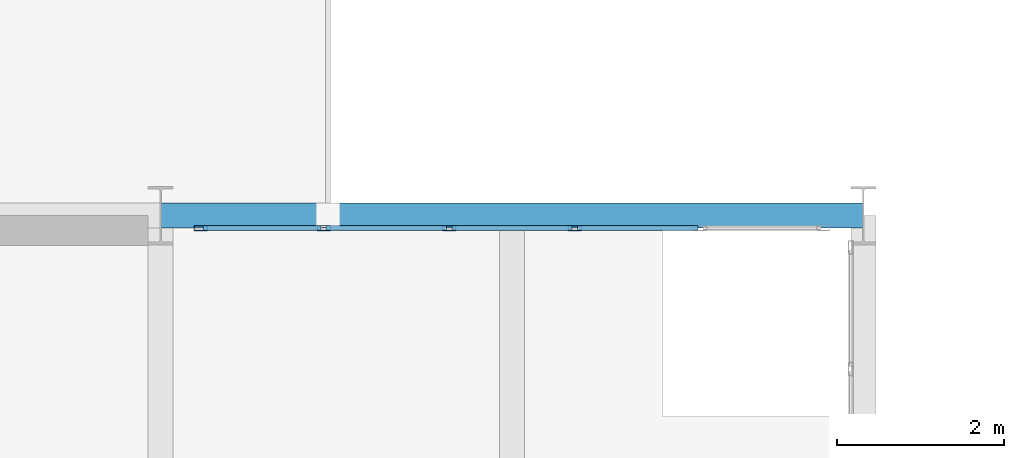
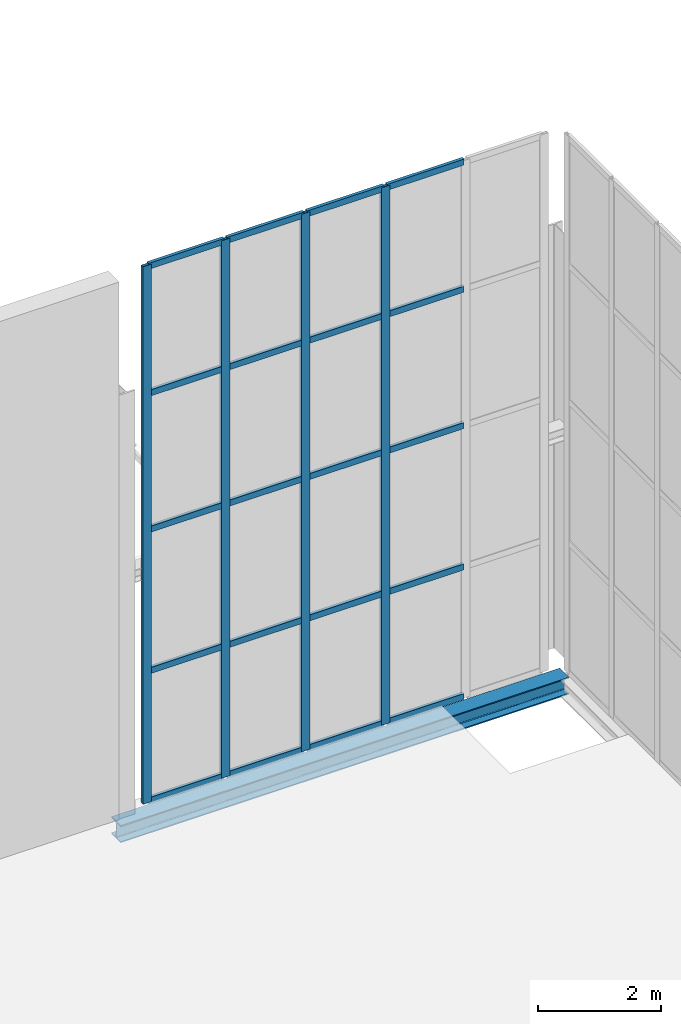
# One storey, part 64 of 131: 24 members, 1 beam, 1 element without a shape of its own.
"""IFC4 building model written with IfcOpenShell, lengths in metres."""

from ifc_helpers import new_model, si_unit, direction, frame, origin, origin_2d, place, context, subcontext, project, spatial, hollow_rectangle, i_section, extrude, material, material_profile, profile_set, type_object, element, aggregate, save


model = new_model("IFC4")

# Units and contexts
model_context = context("Model", 3, precision=1e-05, world=origin(), true_north=direction((0.0, 1.0)))
body_context = subcontext(model_context, "Body", "Model", "MODEL_VIEW")
ifc_project = project(units=[si_unit("LENGTHUNIT", "METRE"), si_unit("AREAUNIT", "SQUARE_METRE"), si_unit("VOLUMEUNIT", "CUBIC_METRE"), si_unit("PLANEANGLEUNIT", "RADIAN"), si_unit("MASSUNIT", "GRAM", prefix="KILO")], contexts=[model_context])

# Site, building, storey
site_placement = place(None, origin())
site = spatial("IfcSite", under=ifc_project, at=site_placement, CompositionType="ELEMENT")
building_placement = place(site_placement, origin())
building = spatial("IfcBuilding", under=site, at=building_placement, Name="Veltarok Museum of Natural Sciences", CompositionType="ELEMENT")
storey_placement = place(building_placement, origin())
storey = spatial("IfcBuildingStorey", under=building, at=storey_placement, Name="L00", CompositionType="ELEMENT", Elevation=0.0)

# Curtain wall, members
ifc_material_1 = material(Name="Low-iron triple insulated glass", Category="glass")
curtain_wall_type = type_object("IfcCurtainWallType", Name="Curtain Wall System CW-PAS-N01-750x1065 (North Cafe Curtain Wall L00 750x1065cm)", PredefinedType="NOTDEFINED", material=ifc_material_1)
curtain_wall_placement = place(storey_placement, origin())
curtain_wall = element("IfcCurtainWall", 1, at=curtain_wall_placement, inside=storey, type_object=curtain_wall_type, Name="Curtain Wall CW-PAS-N01-750x1065 CW-0020", PredefinedType="NOTDEFINED")
ifc_material_2 = material(Name="Thermally broken anodised aluminium", Category="aluminium")
ifc_material_profile_1 = material_profile(ifc_material_2, hollow_rectangle(XDim=0.06005859375, YDim=0.1201171875, WallThickness=0.0048828125, at=origin_2d()), Name="CW TRANSOM 60x120x5")
ifc_profile_set_1 = profile_set([ifc_material_profile_1], Name="Thermally broken anodised aluminium")
member_type_1 = type_object("IfcMemberType", Name="Curtain Wall Horizontal Transom 60x120x5", PredefinedType="USERDEFINED", material=ifc_profile_set_1)
member_1_placement = place(storey_placement, frame((46.419921875, 100.64990234375, 0.030029296875), z_axis=(-1.0, 0.0, 0.0), x_axis=(0.0, -1.0, 0.0)))
member_1 = element("IfcMember", 2, at=member_1_placement, type_object=member_type_1, Name="CW-PAS-N01-750x1065 transom 2.1", ObjectType="TRANSOM", PredefinedType="USERDEFINED", context=body_context, shape_type="SweptSolid", body=[
    extrude(hollow_rectangle(XDim=0.06005859375, YDim=0.1201171875, WallThickness=0.0048828125, at=origin_2d()), origin(), (0.0, 0.0, 1.0), 1.43994140625),
])
member_2_placement = place(storey_placement, frame((46.419921875, 100.64990234375, 2.60009765625), z_axis=(-1.0, 0.0, 0.0), x_axis=(0.0, -1.0, 0.0)))
member_2 = element("IfcMember", 3, at=member_2_placement, type_object=member_type_1, Name="CW-PAS-N01-750x1065 transom 2.2", ObjectType="TRANSOM", PredefinedType="USERDEFINED", context=body_context, shape_type="SweptSolid", body=[
    extrude(hollow_rectangle(XDim=0.06005859375, YDim=0.1201171875, WallThickness=0.0048828125, at=origin_2d()), origin(), (0.0, 0.0, 1.0), 1.43994140625),
])
member_3_placement = place(storey_placement, frame((46.419921875, 100.64990234375, 5.39990234375), z_axis=(-1.0, 0.0, 0.0), x_axis=(0.0, -1.0, 0.0)))
member_3 = element("IfcMember", 4, at=member_3_placement, type_object=member_type_1, Name="CW-PAS-N01-750x1065 transom 2.3", ObjectType="TRANSOM", PredefinedType="USERDEFINED", context=body_context, shape_type="SweptSolid", body=[
    extrude(hollow_rectangle(XDim=0.06005859375, YDim=0.1201171875, WallThickness=0.0048828125, at=origin_2d()), origin(), (0.0, 0.0, 1.0), 1.43994140625),
])
member_4_placement = place(storey_placement, frame((46.419921875, 100.64990234375, 8.10009765625), z_axis=(-1.0, 0.0, 0.0), x_axis=(0.0, -1.0, 0.0)))
member_4 = element("IfcMember", 5, at=member_4_placement, type_object=member_type_1, Name="CW-PAS-N01-750x1065 transom 2.4", ObjectType="TRANSOM", PredefinedType="USERDEFINED", context=body_context, shape_type="SweptSolid", body=[
    extrude(hollow_rectangle(XDim=0.06005859375, YDim=0.1201171875, WallThickness=0.0048828125, at=origin_2d()), origin(), (0.0, 0.0, 1.0), 1.43994140625),
])
member_5_placement = place(storey_placement, frame((46.419921875, 100.64990234375, 10.6201171875), z_axis=(-1.0, 0.0, 0.0), x_axis=(0.0, -1.0, 0.0)))
member_5 = element("IfcMember", 6, at=member_5_placement, type_object=member_type_1, Name="CW-PAS-N01-750x1065 transom 2.5", ObjectType="TRANSOM", PredefinedType="USERDEFINED", context=body_context, shape_type="SweptSolid", body=[
    extrude(hollow_rectangle(XDim=0.06005859375, YDim=0.1201171875, WallThickness=0.0048828125, at=origin_2d()), origin(), (0.0, 0.0, 1.0), 1.43994140625),
])
member_6_placement = place(storey_placement, frame((44.919921875, 100.64990234375, 0.030029296875), z_axis=(-1.0, 0.0, 0.0), x_axis=(0.0, -1.0, 0.0)))
member_6 = element("IfcMember", 7, at=member_6_placement, type_object=member_type_1, Name="CW-PAS-N01-750x1065 transom 3.1", ObjectType="TRANSOM", PredefinedType="USERDEFINED", context=body_context, shape_type="SweptSolid", body=[
    extrude(hollow_rectangle(XDim=0.06005859375, YDim=0.1201171875, WallThickness=0.0048828125, at=origin_2d()), origin(), (0.0, 0.0, 1.0), 1.43994140625),
])
member_7_placement = place(storey_placement, frame((44.919921875, 100.64990234375, 2.60009765625), z_axis=(-1.0, 0.0, 0.0), x_axis=(0.0, -1.0, 0.0)))
member_7 = element("IfcMember", 8, at=member_7_placement, type_object=member_type_1, Name="CW-PAS-N01-750x1065 transom 3.2", ObjectType="TRANSOM", PredefinedType="USERDEFINED", context=body_context, shape_type="SweptSolid", body=[
    extrude(hollow_rectangle(XDim=0.06005859375, YDim=0.1201171875, WallThickness=0.0048828125, at=origin_2d()), origin(), (0.0, 0.0, 1.0), 1.43994140625),
])
member_8_placement = place(storey_placement, frame((44.919921875, 100.64990234375, 5.39990234375), z_axis=(-1.0, 0.0, 0.0), x_axis=(0.0, -1.0, 0.0)))
member_8 = element("IfcMember", 9, at=member_8_placement, type_object=member_type_1, Name="CW-PAS-N01-750x1065 transom 3.3", ObjectType="TRANSOM", PredefinedType="USERDEFINED", context=body_context, shape_type="SweptSolid", body=[
    extrude(hollow_rectangle(XDim=0.06005859375, YDim=0.1201171875, WallThickness=0.0048828125, at=origin_2d()), origin(), (0.0, 0.0, 1.0), 1.43994140625),
])
member_9_placement = place(storey_placement, frame((44.919921875, 100.64990234375, 8.10009765625), z_axis=(-1.0, 0.0, 0.0), x_axis=(0.0, -1.0, 0.0)))
member_9 = element("IfcMember", 10, at=member_9_placement, type_object=member_type_1, Name="CW-PAS-N01-750x1065 transom 3.4", ObjectType="TRANSOM", PredefinedType="USERDEFINED", context=body_context, shape_type="SweptSolid", body=[
    extrude(hollow_rectangle(XDim=0.06005859375, YDim=0.1201171875, WallThickness=0.0048828125, at=origin_2d()), origin(), (0.0, 0.0, 1.0), 1.43994140625),
])
member_10_placement = place(storey_placement, frame((44.919921875, 100.64990234375, 10.6201171875), z_axis=(-1.0, 0.0, 0.0), x_axis=(0.0, -1.0, 0.0)))
member_10 = element("IfcMember", 11, at=member_10_placement, type_object=member_type_1, Name="CW-PAS-N01-750x1065 transom 3.5", ObjectType="TRANSOM", PredefinedType="USERDEFINED", context=body_context, shape_type="SweptSolid", body=[
    extrude(hollow_rectangle(XDim=0.06005859375, YDim=0.1201171875, WallThickness=0.0048828125, at=origin_2d()), origin(), (0.0, 0.0, 1.0), 1.43994140625),
])
member_11_placement = place(storey_placement, frame((43.419921875, 100.64990234375, 0.030029296875), z_axis=(-1.0, 0.0, 0.0), x_axis=(0.0, -1.0, 0.0)))
member_11 = element("IfcMember", 12, at=member_11_placement, type_object=member_type_1, Name="CW-PAS-N01-750x1065 transom 4.1", ObjectType="TRANSOM", PredefinedType="USERDEFINED", context=body_context, shape_type="SweptSolid", body=[
    extrude(hollow_rectangle(XDim=0.06005859375, YDim=0.1201171875, WallThickness=0.0048828125, at=origin_2d()), origin(), (0.0, 0.0, 1.0), 1.43994140625),
])
member_12_placement = place(storey_placement, frame((43.419921875, 100.64990234375, 2.60009765625), z_axis=(-1.0, 0.0, 0.0), x_axis=(0.0, -1.0, 0.0)))
member_12 = element("IfcMember", 13, at=member_12_placement, type_object=member_type_1, Name="CW-PAS-N01-750x1065 transom 4.2", ObjectType="TRANSOM", PredefinedType="USERDEFINED", context=body_context, shape_type="SweptSolid", body=[
    extrude(hollow_rectangle(XDim=0.06005859375, YDim=0.1201171875, WallThickness=0.0048828125, at=origin_2d()), origin(), (0.0, 0.0, 1.0), 1.43994140625),
])
member_13_placement = place(storey_placement, frame((43.419921875, 100.64990234375, 5.39990234375), z_axis=(-1.0, 0.0, 0.0), x_axis=(0.0, -1.0, 0.0)))
member_13 = element("IfcMember", 14, at=member_13_placement, type_object=member_type_1, Name="CW-PAS-N01-750x1065 transom 4.3", ObjectType="TRANSOM", PredefinedType="USERDEFINED", context=body_context, shape_type="SweptSolid", body=[
    extrude(hollow_rectangle(XDim=0.06005859375, YDim=0.1201171875, WallThickness=0.0048828125, at=origin_2d()), origin(), (0.0, 0.0, 1.0), 1.43994140625),
])
member_14_placement = place(storey_placement, frame((43.419921875, 100.64990234375, 8.10009765625), z_axis=(-1.0, 0.0, 0.0), x_axis=(0.0, -1.0, 0.0)))
member_14 = element("IfcMember", 15, at=member_14_placement, type_object=member_type_1, Name="CW-PAS-N01-750x1065 transom 4.4", ObjectType="TRANSOM", PredefinedType="USERDEFINED", context=body_context, shape_type="SweptSolid", body=[
    extrude(hollow_rectangle(XDim=0.06005859375, YDim=0.1201171875, WallThickness=0.0048828125, at=origin_2d()), origin(), (0.0, 0.0, 1.0), 1.43994140625),
])
member_15_placement = place(storey_placement, frame((43.419921875, 100.64990234375, 10.6201171875), z_axis=(-1.0, 0.0, 0.0), x_axis=(0.0, -1.0, 0.0)))
member_15 = element("IfcMember", 16, at=member_15_placement, type_object=member_type_1, Name="CW-PAS-N01-750x1065 transom 4.5", ObjectType="TRANSOM", PredefinedType="USERDEFINED", context=body_context, shape_type="SweptSolid", body=[
    extrude(hollow_rectangle(XDim=0.06005859375, YDim=0.1201171875, WallThickness=0.0048828125, at=origin_2d()), origin(), (0.0, 0.0, 1.0), 1.43994140625),
])
member_16_placement = place(storey_placement, frame((41.919921875, 100.64990234375, 0.030029296875), z_axis=(-1.0, 0.0, 0.0), x_axis=(0.0, -1.0, 0.0)))
member_16 = element("IfcMember", 17, at=member_16_placement, type_object=member_type_1, Name="CW-PAS-N01-750x1065 transom 5.1", ObjectType="TRANSOM", PredefinedType="USERDEFINED", context=body_context, shape_type="SweptSolid", body=[
    extrude(hollow_rectangle(XDim=0.06005859375, YDim=0.1201171875, WallThickness=0.0048828125, at=origin_2d()), origin(), (0.0, 0.0, 1.0), 1.409912109375),
])
member_17_placement = place(storey_placement, frame((41.919921875, 100.64990234375, 2.60009765625), z_axis=(-1.0, 0.0, 0.0), x_axis=(0.0, -1.0, 0.0)))
member_17 = element("IfcMember", 18, at=member_17_placement, type_object=member_type_1, Name="CW-PAS-N01-750x1065 transom 5.2", ObjectType="TRANSOM", PredefinedType="USERDEFINED", context=body_context, shape_type="SweptSolid", body=[
    extrude(hollow_rectangle(XDim=0.06005859375, YDim=0.1201171875, WallThickness=0.0048828125, at=origin_2d()), origin(), (0.0, 0.0, 1.0), 1.409912109375),
])
member_18_placement = place(storey_placement, frame((41.919921875, 100.64990234375, 5.39990234375), z_axis=(-1.0, 0.0, 0.0), x_axis=(0.0, -1.0, 0.0)))
member_18 = element("IfcMember", 19, at=member_18_placement, type_object=member_type_1, Name="CW-PAS-N01-750x1065 transom 5.3", ObjectType="TRANSOM", PredefinedType="USERDEFINED", context=body_context, shape_type="SweptSolid", body=[
    extrude(hollow_rectangle(XDim=0.06005859375, YDim=0.1201171875, WallThickness=0.0048828125, at=origin_2d()), origin(), (0.0, 0.0, 1.0), 1.409912109375),
])
member_19_placement = place(storey_placement, frame((41.919921875, 100.64990234375, 8.10009765625), z_axis=(-1.0, 0.0, 0.0), x_axis=(0.0, -1.0, 0.0)))
member_19 = element("IfcMember", 20, at=member_19_placement, type_object=member_type_1, Name="CW-PAS-N01-750x1065 transom 5.4", ObjectType="TRANSOM", PredefinedType="USERDEFINED", context=body_context, shape_type="SweptSolid", body=[
    extrude(hollow_rectangle(XDim=0.06005859375, YDim=0.1201171875, WallThickness=0.0048828125, at=origin_2d()), origin(), (0.0, 0.0, 1.0), 1.409912109375),
])
member_20_placement = place(storey_placement, frame((41.919921875, 100.64990234375, 10.6201171875), z_axis=(-1.0, 0.0, 0.0), x_axis=(0.0, -1.0, 0.0)))
member_20 = element("IfcMember", 21, at=member_20_placement, type_object=member_type_1, Name="CW-PAS-N01-750x1065 transom 5.5", ObjectType="TRANSOM", PredefinedType="USERDEFINED", context=body_context, shape_type="SweptSolid", body=[
    extrude(hollow_rectangle(XDim=0.06005859375, YDim=0.1201171875, WallThickness=0.0048828125, at=origin_2d()), origin(), (0.0, 0.0, 1.0), 1.409912109375),
])
ifc_material_profile_2 = material_profile(ifc_material_2, hollow_rectangle(XDim=0.06005859375, YDim=0.159912109375, WallThickness=0.0048828125, at=origin_2d()), Name="CW MULLION 60x160x5")
ifc_profile_set_2 = profile_set([ifc_material_profile_2], Name="Thermally broken anodised aluminium")
member_type_2 = type_object("IfcMemberType", Name="Curtain Wall Vertical Mullion 60x160x5", PredefinedType="MULLION", material=ifc_profile_set_2)
member_21_placement = place(storey_placement, frame((44.949951171875, 100.64990234375, 0.0), z_axis=(0.0, 0.0, 1.0), x_axis=(0.0, -1.0, 0.0)))
member_21 = element("IfcMember", 22, at=member_21_placement, type_object=member_type_2, Name="CW-PAS-N01-750x1065 mullion 3", PredefinedType="MULLION", context=body_context, shape_type="SweptSolid", body=[
    extrude(hollow_rectangle(XDim=0.06005859375, YDim=0.159912109375, WallThickness=0.0048828125, at=origin_2d()), origin(), (0.0, 0.0, 1.0), 10.64990234375),
])
member_22_placement = place(storey_placement, frame((43.449951171875, 100.64990234375, 0.0), z_axis=(0.0, 0.0, 1.0), x_axis=(0.0, -1.0, 0.0)))
member_22 = element("IfcMember", 23, at=member_22_placement, type_object=member_type_2, Name="CW-PAS-N01-750x1065 mullion 4", PredefinedType="MULLION", context=body_context, shape_type="SweptSolid", body=[
    extrude(hollow_rectangle(XDim=0.06005859375, YDim=0.159912109375, WallThickness=0.0048828125, at=origin_2d()), origin(), (0.0, 0.0, 1.0), 10.64990234375),
])
member_23_placement = place(storey_placement, frame((41.949951171875, 100.64990234375, 0.0), z_axis=(0.0, 0.0, 1.0), x_axis=(0.0, -1.0, 0.0)))
member_23 = element("IfcMember", 24, at=member_23_placement, type_object=member_type_2, Name="CW-PAS-N01-750x1065 mullion 5", PredefinedType="MULLION", context=body_context, shape_type="SweptSolid", body=[
    extrude(hollow_rectangle(XDim=0.06005859375, YDim=0.159912109375, WallThickness=0.0048828125, at=origin_2d()), origin(), (0.0, 0.0, 1.0), 10.64990234375),
])
member_24_placement = place(storey_placement, frame((40.47998046875, 100.64990234375, 0.0), z_axis=(0.0, 0.0, 1.0), x_axis=(0.0, -1.0, 0.0)))
member_24 = element("IfcMember", 25, at=member_24_placement, type_object=member_type_2, Name="CW-PAS-N01-750x1065 mullion 6", PredefinedType="MULLION", context=body_context, shape_type="SweptSolid", body=[
    extrude(hollow_rectangle(XDim=0.06005859375, YDim=0.159912109375, WallThickness=0.0048828125, at=origin_2d()), origin(), (0.0, 0.0, 1.0), 10.64990234375),
])
aggregate(curtain_wall, [member_21, member_22, member_23, member_24, member_1, member_2, member_3, member_4, member_5, member_6, member_7, member_8, member_9, member_10, member_11, member_12, member_13, member_14, member_15, member_16, member_17, member_18, member_19, member_20])

# Beam
ifc_material_3 = material(Name="Steel S355J2", Category="steel")
ifc_material_profile_3 = material_profile(ifc_material_3, i_section(OverallWidth=0.300048828125, OverallDepth=0.340087890625, WebThickness=0.011962890625, FlangeThickness=0.021484375, FilletRadius=0.027099609375, at=origin_2d()), Name="HEB 340")
ifc_profile_set_3 = profile_set([ifc_material_profile_3], Name="Steel S355J2")
beam_type = type_object("IfcBeamType", Name="Perimeter Bridge Spandrel HEB 340", PredefinedType="SPANDREL", material=ifc_profile_set_3)
beam_placement = place(storey_placement, frame((40.0, 100.800048828125, -0.469970703125), z_axis=(1.0, 0.0, 0.0), x_axis=(0.0, 1.0, 0.0)))
element("IfcBeam", 26, at=beam_placement, inside=storey, type_object=beam_type, Name="Beam BM-SP07 L00 5-6/L", PredefinedType="SPANDREL", context=body_context, shape_type="SweptSolid", body=[
    extrude(i_section(OverallWidth=0.300048828125, OverallDepth=0.340087890625, WebThickness=0.011962890625, FlangeThickness=0.021484375, FilletRadius=0.027099609375, at=origin_2d()), origin(), (0.0, 0.0, 1.0), 8.39990234375),
])

save(model, "model.ifc")
